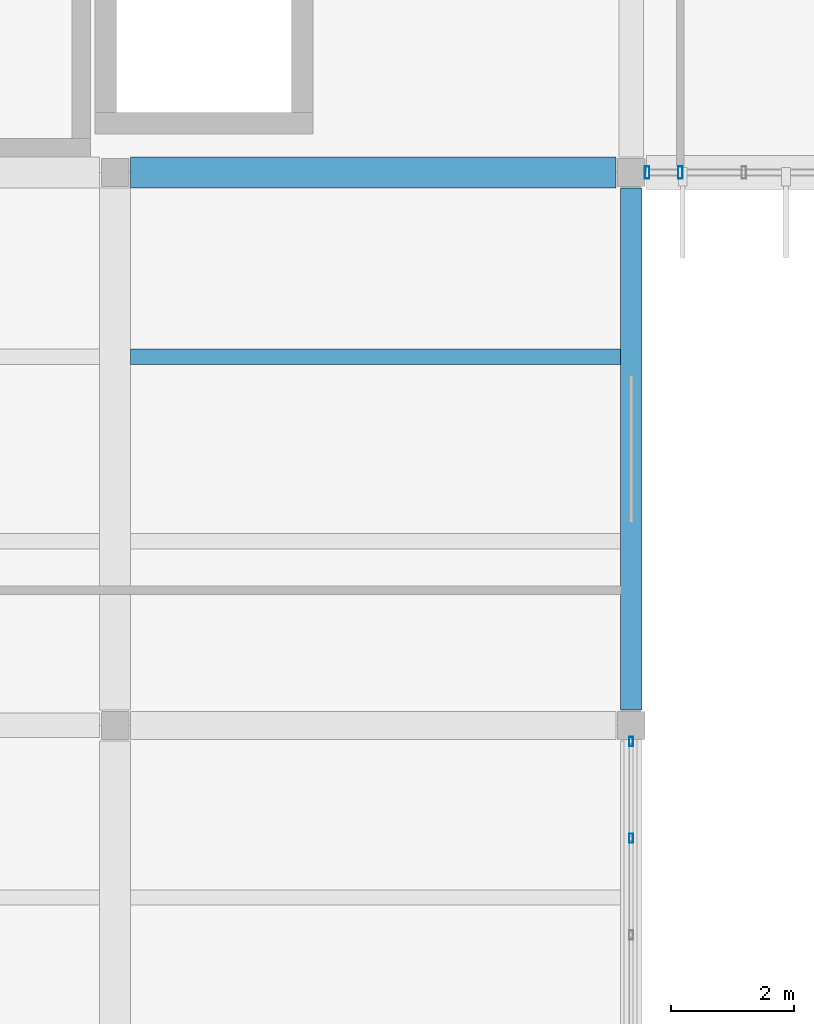
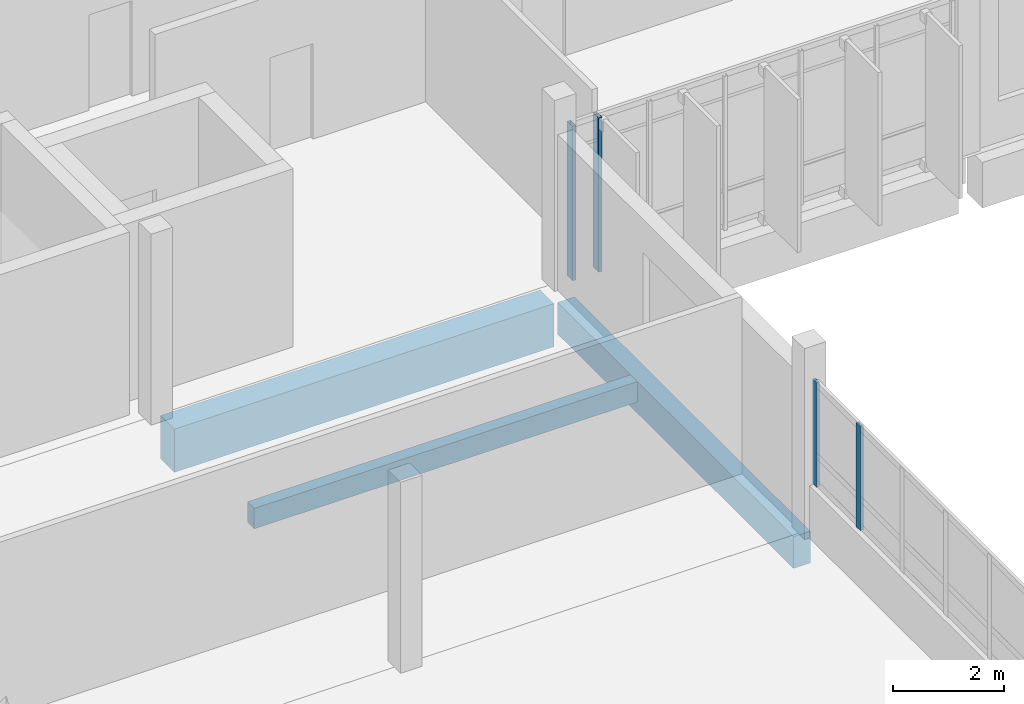
# One storey, part 20 of 62: 4 members, 3 beams, 2 elements without a shape of their own.
"""IFC4 building model written with IfcOpenShell, lengths in metres."""

from ifc_helpers import new_model, si_unit, direction, frame, origin, origin_2d, place, context, subcontext, project, spatial, rectangle, hollow_rectangle, extrude, material, layer, layer_set, material_profile, profile_set, type_object, element, aggregate, save


model = new_model("IFC4")

# Units and contexts
model_context = context("Model", 3, precision=1e-05, world=origin(), true_north=direction((0.0, 1.0)))
body_context = subcontext(model_context, "Body", "Model", "MODEL_VIEW")
ifc_project = project(units=[si_unit("LENGTHUNIT", "METRE"), si_unit("AREAUNIT", "SQUARE_METRE"), si_unit("VOLUMEUNIT", "CUBIC_METRE"), si_unit("PLANEANGLEUNIT", "RADIAN"), si_unit("MASSUNIT", "GRAM", prefix="KILO")], contexts=[model_context])

# Site, building, storey
site_placement = place(None, origin())
site = spatial("IfcSite", under=ifc_project, at=site_placement, CompositionType="ELEMENT")
building_placement = place(site_placement, origin())
building = spatial("IfcBuilding", under=site, at=building_placement, Name="Vireocrest Preparatory School", CompositionType="ELEMENT")
storey_placement = place(building_placement, frame((0.0, 0.0, 17.39990234375)))
storey = spatial("IfcBuildingStorey", under=building, at=storey_placement, Name="L04", CompositionType="ELEMENT", Elevation=17.39990234375)

# Curtain wall, members
ifc_material_1 = material(Name="Thermally broken aluminium EN AW-6063-T6", Category="aluminium")
ifc_layer_1 = layer(ifc_material_1, 0.179931640625)
ifc_layer_set_1 = layer_set([ifc_layer_1], Name="Thermally broken aluminium EN AW-6063-T6")
curtain_wall_type_1 = type_object("IfcCurtainWallType", Name="Court Banded Curtain Wall 8400x3000", PredefinedType="USERDEFINED", material=ifc_layer_set_1)
curtain_wall_1_placement = place(storey_placement, origin())
curtain_wall_1 = element("IfcCurtainWall", 1, at=curtain_wall_1_placement, inside=storey, type_object=curtain_wall_type_1, Name="Curtain Wall CW02 CW_L04_CW02_0672_0776_186", ObjectType="CURTAIN WALL", PredefinedType="USERDEFINED")
ifc_material_profile_1 = material_profile(ifc_material_1, hollow_rectangle(XDim=0.06494140625, YDim=0.14990234375, WallThickness=0.00390625, at=origin_2d()), Name="ALU 65x150x4")
ifc_profile_set_1 = profile_set([ifc_material_profile_1], Name="Thermally broken aluminium EN AW-6063-T6")
member_type_1 = type_object("IfcMemberType", Name="CW Mullion 65x150x4", PredefinedType="MULLION", material=ifc_profile_set_1)
member_1_placement = place(storey_placement, frame((67.199951171875, 83.964111328125, 1.150146484375), z_axis=(0.0, 0.0, 1.0), x_axis=(1.0, 0.0, 0.0)))
member_1 = element("IfcMember", 2, at=member_1_placement, type_object=member_type_1, Name="CW Mullion ML1 CW_L04_CW02_0672_0776_186-5", PredefinedType="MULLION", context=body_context, shape_type="SweptSolid", body=[
    extrude(hollow_rectangle(XDim=0.06494140625, YDim=0.14990234375, WallThickness=0.00390625, at=origin_2d()), origin(), (0.0, 0.0, 1.0), 2.294921875),
])
member_2_placement = place(storey_placement, frame((67.199951171875, 85.5400390625, 1.150146484375), z_axis=(0.0, 0.0, 1.0), x_axis=(1.0, 0.0, 0.0)))
member_2 = element("IfcMember", 3, at=member_2_placement, type_object=member_type_1, Name="CW Mullion ML1 CW_L04_CW02_0672_0776_186-6", PredefinedType="MULLION", context=body_context, shape_type="SweptSolid", body=[
    extrude(hollow_rectangle(XDim=0.06494140625, YDim=0.14990234375, WallThickness=0.00390625, at=origin_2d()), origin(), (0.0, 0.0, 1.0), 2.294921875),
])
aggregate(curtain_wall_1, [member_1, member_2])

ifc_layer_2 = layer(ifc_material_1, 0.179931640625)
ifc_layer_set_2 = layer_set([ifc_layer_2], Name="Thermally broken aluminium EN AW-6063-T6")
curtain_wall_type_2 = type_object("IfcCurtainWallType", Name="Side Facade Curtain Wall 9000x4200", PredefinedType="USERDEFINED", material=ifc_layer_set_2)
curtain_wall_2_placement = place(storey_placement, origin())
curtain_wall_2 = element("IfcCurtainWall", 4, at=curtain_wall_2_placement, inside=storey, type_object=curtain_wall_type_2, Name="Curtain Wall CW07 CW_L04_CW07_0674_0948_174", ObjectType="CURTAIN WALL", PredefinedType="USERDEFINED")
ifc_material_profile_2 = material_profile(ifc_material_1, hollow_rectangle(XDim=0.074951171875, YDim=0.199951171875, WallThickness=0.0048828125, at=origin_2d()), Name="ALU 75x200x5")
ifc_profile_set_2 = profile_set([ifc_material_profile_2], Name="Thermally broken aluminium EN AW-6063-T6")
member_type_2 = type_object("IfcMemberType", Name="CW Mullion 75x200x5", PredefinedType="MULLION", material=ifc_profile_set_2)
member_3_placement = place(storey_placement, frame((67.4599609375, 94.800048828125, 0.0), z_axis=(0.0, 0.0, 1.0), x_axis=(1.0, 0.0, 0.0)))
member_3 = element("IfcMember", 5, at=member_3_placement, type_object=member_type_2, Name="CW Mullion ML3 CW_L04_CW07_0674_0948_174-1", PredefinedType="MULLION", context=body_context, shape_type="SweptSolid", body=[
    extrude(hollow_rectangle(XDim=0.074951171875, YDim=0.199951171875, WallThickness=0.0048828125, at=origin_2d()), origin(), (0.0, 0.0, 1.0), 3.39501953125),
])
member_4_placement = place(storey_placement, frame((68.0, 94.800048828125, 0.0), z_axis=(0.0, 0.0, 1.0), x_axis=(1.0, 0.0, 0.0)))
member_4 = element("IfcMember", 6, at=member_4_placement, type_object=member_type_2, Name="CW Mullion ML3 CW_L04_CW07_0674_0948_174-2", PredefinedType="MULLION", context=body_context, shape_type="SweptSolid", body=[
    extrude(hollow_rectangle(XDim=0.074951171875, YDim=0.199951171875, WallThickness=0.0048828125, at=origin_2d()), origin(), (0.0, 0.0, 1.0), 3.39501953125),
])
aggregate(curtain_wall_2, [member_3, member_4])

# Beams
ifc_material_2 = material(Name="Concrete 40 MPa", Category="concrete")
ifc_material_profile_3 = material_profile(ifc_material_2, rectangle(XDim=0.5, YDim=0.949951171875, at=origin_2d()), Name="RC 500x950")
ifc_profile_set_3 = profile_set([ifc_material_profile_3], Name="Concrete 40 MPa")
beam_type_1 = type_object("IfcBeamType", Name="RC Basement Ceiling Girder 500x950", PredefinedType="BEAM", material=ifc_profile_set_3)
beam_1_placement = place(storey_placement, frame((59.050048828125, 94.800048828125, -0.71484375), z_axis=(1.0, 0.0, 0.0), x_axis=(0.0, 1.0, 0.0)))
element("IfcBeam", 7, at=beam_1_placement, inside=storey, type_object=beam_type_1, Name="Primary Girder B16 L04-1328", PredefinedType="BEAM", context=body_context, shape_type="SweptSolid", body=[
    extrude(rectangle(XDim=0.5, YDim=0.949951171875, at=origin_2d()), origin(), (0.0, 0.0, 1.0), 7.89990234375),
])
ifc_material_profile_4 = material_profile(ifc_material_2, rectangle(XDim=0.35009765625, YDim=0.699951171875, at=origin_2d()), Name="RC 350x700")
ifc_profile_set_4 = profile_set([ifc_material_profile_4], Name="Concrete 40 MPa")
beam_type_2 = type_object("IfcBeamType", Name="RC Laboratory Girder 350x700", PredefinedType="BEAM", material=ifc_profile_set_4)
beam_2_placement = place(storey_placement, frame((67.199951171875, 86.050048828125, -0.58984375), z_axis=(0.0, 1.0, 0.0), x_axis=(-1.0, 0.0, 0.0)))
element("IfcBeam", 8, at=beam_2_placement, inside=storey, type_object=beam_type_2, Name="Primary Girder B06 L04-1385", PredefinedType="BEAM", context=body_context, shape_type="SweptSolid", body=[
    extrude(rectangle(XDim=0.35009765625, YDim=0.699951171875, at=origin_2d()), origin(), (0.0, 0.0, 1.0), 8.5),
])
ifc_material_profile_5 = material_profile(ifc_material_2, rectangle(XDim=0.25, YDim=0.449951171875, at=origin_2d()), Name="RC 250x450")
ifc_profile_set_5 = profile_set([ifc_material_profile_5], Name="Concrete 40 MPa")
beam_type_3 = type_object("IfcBeamType", Name="RC Secondary Floor Joist 250x450", PredefinedType="JOIST", material=ifc_profile_set_5)
beam_3_placement = place(storey_placement, frame((59.050048828125, 91.800048828125, -0.46484375), z_axis=(1.0, 0.0, 0.0), x_axis=(0.0, 1.0, 0.0)))
element("IfcBeam", 9, at=beam_3_placement, inside=storey, type_object=beam_type_3, Name="Secondary Joist J01 L04-1466", PredefinedType="JOIST", context=body_context, shape_type="SweptSolid", body=[
    extrude(rectangle(XDim=0.25, YDim=0.449951171875, at=origin_2d()), origin(), (0.0, 0.0, 1.0), 7.974853515625),
])

save(model, "model.ifc")
